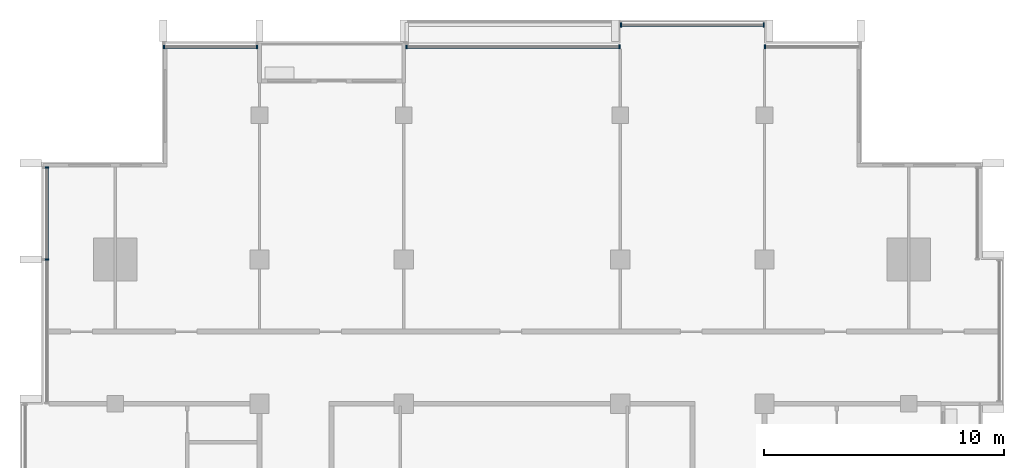
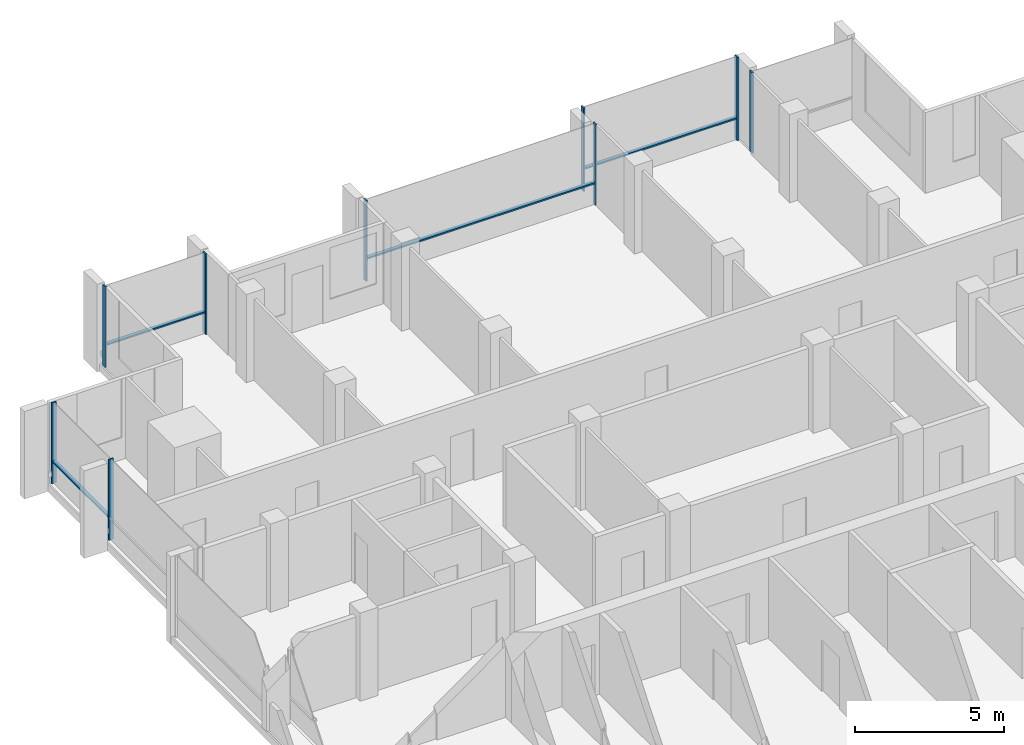
# One storey, part 4 of 15: 13 members, 5 elements without a shape of their own.
"""IFC4 building model written with IfcOpenShell, lengths in metres."""

from ifc_helpers import new_model, si_unit, direction, frame, origin, origin_2d, place, context, subcontext, project, spatial, rectangle, extrude, material, material_profile, profile_set, type_object, element, aggregate, save


model = new_model("IFC4")

# Units and contexts
model_context = context("Model", 3, precision=1e-05, world=origin(), true_north=direction((0.0, 1.0)))
body_context = subcontext(model_context, "Body", "Model", "MODEL_VIEW")
ifc_project = project(units=[si_unit("LENGTHUNIT", "METRE"), si_unit("AREAUNIT", "SQUARE_METRE"), si_unit("VOLUMEUNIT", "CUBIC_METRE"), si_unit("PLANEANGLEUNIT", "RADIAN"), si_unit("MASSUNIT", "GRAM", prefix="KILO")], contexts=[model_context])

# Site, building, storey
site_placement = place(None, origin())
site = spatial("IfcSite", under=ifc_project, at=site_placement, CompositionType="ELEMENT")
building_placement = place(site_placement, origin())
building = spatial("IfcBuilding", under=site, at=building_placement, Name="Finial Court Residences", CompositionType="ELEMENT")
storey_placement = place(building_placement, frame((0.0, 0.0, 269.89990234375)))
storey = spatial("IfcBuildingStorey", under=building, at=storey_placement, Name="L68", CompositionType="ELEMENT", Elevation=269.89990234375)

# Curtain wall, members
ifc_material = material(Name="Bronze anodised aluminium", Category="aluminium")
curtain_wall_type = type_object("IfcCurtainWallType", Name="Unitised curtain wall, upper zones", PredefinedType="NOTDEFINED", material=ifc_material)
curtain_wall_1_placement = place(storey_placement, origin())
curtain_wall_1 = element("IfcCurtainWall", 1, at=curtain_wall_1_placement, inside=storey, type_object=curtain_wall_type, Name="E-L68-CW-N1", PredefinedType="NOTDEFINED")
ifc_material_profile_1 = material_profile(ifc_material, rectangle(XDim=0.175048828125, YDim=0.06005859375, at=origin_2d()), Name="CW2 mullion 60 x 175")
ifc_profile_set_1 = profile_set([ifc_material_profile_1], Name="Bronze anodised aluminium")
member_type_1 = type_object("IfcMemberType", Name="CW2 mullion 60 x 175", PredefinedType="MULLION", material=ifc_profile_set_1)
member_1_placement = place(storey_placement, frame((-14.469970703125, 16.35009765625, 0.0), z_axis=(0.0, 0.0, 1.0), x_axis=(0.0, 1.0, 0.0)))
member_1 = element("IfcMember", 2, at=member_1_placement, type_object=member_type_1, Name="CW2 mullion 1", PredefinedType="MULLION", context=body_context, shape_type="SweptSolid", body=[
    extrude(rectangle(XDim=0.175048828125, YDim=0.06005859375, at=origin_2d()), origin(), (0.0, 0.0, 1.0), 3.300048828125),
])
member_2_placement = place(storey_placement, frame((-10.60498046875, 16.35009765625, 0.0), z_axis=(0.0, 0.0, 1.0), x_axis=(0.0, 1.0, 0.0)))
member_2 = element("IfcMember", 3, at=member_2_placement, type_object=member_type_1, Name="CW2 mullion 2", PredefinedType="MULLION", context=body_context, shape_type="SweptSolid", body=[
    extrude(rectangle(XDim=0.175048828125, YDim=0.06005859375, at=origin_2d()), origin(), (0.0, 0.0, 1.0), 3.300048828125),
])

curtain_wall_2_placement = place(storey_placement, origin())
curtain_wall_2 = element("IfcCurtainWall", 4, at=curtain_wall_2_placement, inside=storey, type_object=curtain_wall_type, Name="E-L68-CW-N2", PredefinedType="NOTDEFINED")
member_3_placement = place(storey_placement, frame((-4.39501953125, 16.35009765625, 0.0), z_axis=(0.0, 0.0, 1.0), x_axis=(0.0, 1.0, 0.0)))
member_3 = element("IfcMember", 5, at=member_3_placement, type_object=member_type_1, Name="CW2 mullion 1", PredefinedType="MULLION", context=body_context, shape_type="SweptSolid", body=[
    extrude(rectangle(XDim=0.175048828125, YDim=0.06005859375, at=origin_2d()), origin(), (0.0, 0.0, 1.0), 3.300048828125),
])
member_4_placement = place(storey_placement, frame((4.469970703125, 16.35009765625, 0.0), z_axis=(0.0, 0.0, 1.0), x_axis=(0.0, 1.0, 0.0)))
member_4 = element("IfcMember", 6, at=member_4_placement, type_object=member_type_1, Name="CW2 mullion 2", PredefinedType="MULLION", context=body_context, shape_type="SweptSolid", body=[
    extrude(rectangle(XDim=0.175048828125, YDim=0.06005859375, at=origin_2d()), origin(), (0.0, 0.0, 1.0), 3.300048828125),
])

curtain_wall_3_placement = place(storey_placement, origin())
curtain_wall_3 = element("IfcCurtainWall", 7, at=curtain_wall_3_placement, inside=storey, type_object=curtain_wall_type, Name="E-L68-CW-N3", PredefinedType="NOTDEFINED")
member_5_placement = place(storey_placement, frame((4.530029296875, 17.25, 0.0), z_axis=(0.0, 0.0, 1.0), x_axis=(0.0, 1.0, 0.0)))
member_5 = element("IfcMember", 8, at=member_5_placement, type_object=member_type_1, Name="CW2 mullion 1", PredefinedType="MULLION", context=body_context, shape_type="SweptSolid", body=[
    extrude(rectangle(XDim=0.175048828125, YDim=0.06005859375, at=origin_2d()), origin(), (0.0, 0.0, 1.0), 3.400146484375),
])
member_6_placement = place(storey_placement, frame((10.469970703125, 17.25, 0.0), z_axis=(0.0, 0.0, 1.0), x_axis=(0.0, 1.0, 0.0)))
member_6 = element("IfcMember", 9, at=member_6_placement, type_object=member_type_1, Name="CW2 mullion 2", PredefinedType="MULLION", context=body_context, shape_type="SweptSolid", body=[
    extrude(rectangle(XDim=0.175048828125, YDim=0.06005859375, at=origin_2d()), origin(), (0.0, 0.0, 1.0), 3.400146484375),
])

# Curtain wall, member
curtain_wall_4_placement = place(storey_placement, origin())
curtain_wall_4 = element("IfcCurtainWall", 10, at=curtain_wall_4_placement, inside=storey, type_object=curtain_wall_type, Name="E-L68-CW-N4", PredefinedType="NOTDEFINED")
member_7_placement = place(storey_placement, frame((10.530029296875, 16.35009765625, 0.0), z_axis=(0.0, 0.0, 1.0), x_axis=(0.0, 1.0, 0.0)))
member_7 = element("IfcMember", 11, at=member_7_placement, type_object=member_type_1, Name="CW2 mullion 1", PredefinedType="MULLION", context=body_context, shape_type="SweptSolid", body=[
    extrude(rectangle(XDim=0.175048828125, YDim=0.06005859375, at=origin_2d()), origin(), (0.0, 0.0, 1.0), 3.300048828125),
])
aggregate(curtain_wall_4, [member_7])

# Curtain wall, members
curtain_wall_5_placement = place(storey_placement, origin())
curtain_wall_5 = element("IfcCurtainWall", 12, at=curtain_wall_5_placement, inside=storey, type_object=curtain_wall_type, Name="E-L68-CW-W12", PredefinedType="NOTDEFINED")
member_8_placement = place(storey_placement, frame((-19.35009765625, 7.5, 0.0), z_axis=(0.0, 0.0, 1.0), x_axis=(-1.0, 0.0, 0.0)))
member_8 = element("IfcMember", 13, at=member_8_placement, type_object=member_type_1, Name="CW2 mullion 2", PredefinedType="MULLION", context=body_context, shape_type="SweptSolid", body=[
    extrude(rectangle(XDim=0.175048828125, YDim=0.06005859375, at=origin_2d()), origin(), (0.0, 0.0, 1.0), 3.300048828125),
])
member_9_placement = place(storey_placement, frame((-19.35009765625, 11.320068359375, 0.0), z_axis=(0.0, 0.0, 1.0), x_axis=(-1.0, 0.0, 0.0)))
member_9 = element("IfcMember", 14, at=member_9_placement, type_object=member_type_1, Name="CW2 mullion 3", PredefinedType="MULLION", context=body_context, shape_type="SweptSolid", body=[
    extrude(rectangle(XDim=0.175048828125, YDim=0.06005859375, at=origin_2d()), origin(), (0.0, 0.0, 1.0), 3.300048828125),
])

# Member
ifc_material_profile_2 = material_profile(ifc_material, rectangle(XDim=0.139892578125, YDim=0.06005859375, at=origin_2d()), Name="CW2 transom 60 x 140")
ifc_profile_set_2 = profile_set([ifc_material_profile_2], Name="Bronze anodised aluminium")
member_type_2 = type_object("IfcMemberType", Name="CW2 transom 60 x 140", PredefinedType="USERDEFINED", material=ifc_profile_set_2)
member_10_placement = place(storey_placement, frame((-14.43994140625, 16.35009765625, 0.900146484375), z_axis=(1.0, 0.0, 0.0), x_axis=(0.0, 1.0, 0.0)))
member_10 = element("IfcMember", 15, at=member_10_placement, type_object=member_type_2, Name="CW2 transom 1.1", ObjectType="TRANSOM", PredefinedType="USERDEFINED", context=body_context, shape_type="SweptSolid", body=[
    extrude(rectangle(XDim=0.139892578125, YDim=0.06005859375, at=origin_2d()), origin(), (0.0, 0.0, 1.0), 3.804931640625),
])

aggregate(curtain_wall_1, [member_1, member_2, member_10])

member_11_placement = place(storey_placement, frame((-4.364990234375, 16.35009765625, 0.900146484375), z_axis=(1.0, 0.0, 0.0), x_axis=(0.0, 1.0, 0.0)))
member_11 = element("IfcMember", 16, at=member_11_placement, type_object=member_type_2, Name="CW2 transom 1.1", ObjectType="TRANSOM", PredefinedType="USERDEFINED", context=body_context, shape_type="SweptSolid", body=[
    extrude(rectangle(XDim=0.139892578125, YDim=0.06005859375, at=origin_2d()), origin(), (0.0, 0.0, 1.0), 8.804931640625),
])

aggregate(curtain_wall_2, [member_3, member_4, member_11])

member_12_placement = place(storey_placement, frame((4.56005859375, 17.25, 0.900146484375), z_axis=(1.0, 0.0, 0.0), x_axis=(0.0, 1.0, 0.0)))
member_12 = element("IfcMember", 17, at=member_12_placement, type_object=member_type_2, Name="CW2 transom 1.1", ObjectType="TRANSOM", PredefinedType="USERDEFINED", context=body_context, shape_type="SweptSolid", body=[
    extrude(rectangle(XDim=0.139892578125, YDim=0.06005859375, at=origin_2d()), origin(), (0.0, 0.0, 1.0), 5.8798828125),
])

aggregate(curtain_wall_3, [member_5, member_6, member_12])

member_13_placement = place(storey_placement, frame((-19.35009765625, 7.530029296875, 0.900146484375), z_axis=(0.0, 1.0, 0.0), x_axis=(-1.0, 0.0, 0.0)))
member_13 = element("IfcMember", 18, at=member_13_placement, type_object=member_type_2, Name="CW2 transom 2.1", ObjectType="TRANSOM", PredefinedType="USERDEFINED", context=body_context, shape_type="SweptSolid", body=[
    extrude(rectangle(XDim=0.139892578125, YDim=0.06005859375, at=origin_2d()), origin(), (0.0, 0.0, 1.0), 3.760009765625),
])

aggregate(curtain_wall_5, [member_8, member_9, member_13])

save(model, "model.ifc")
